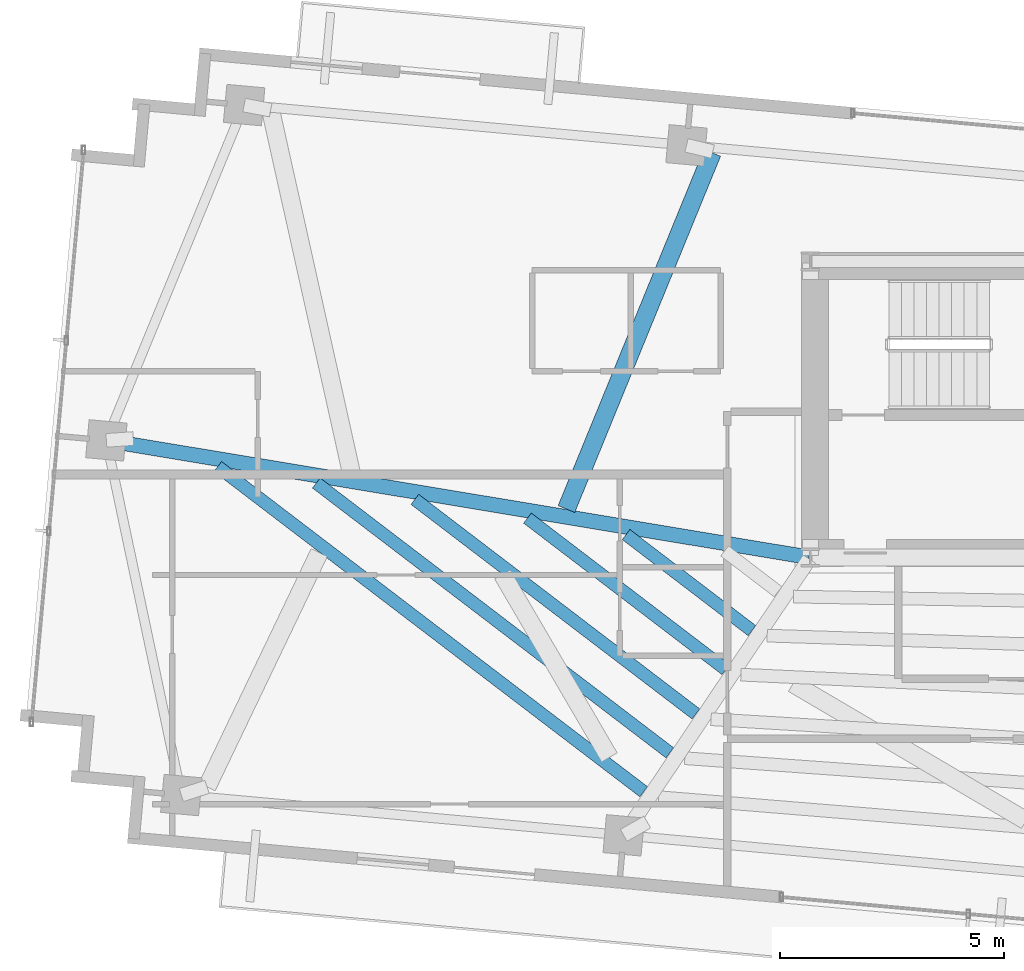
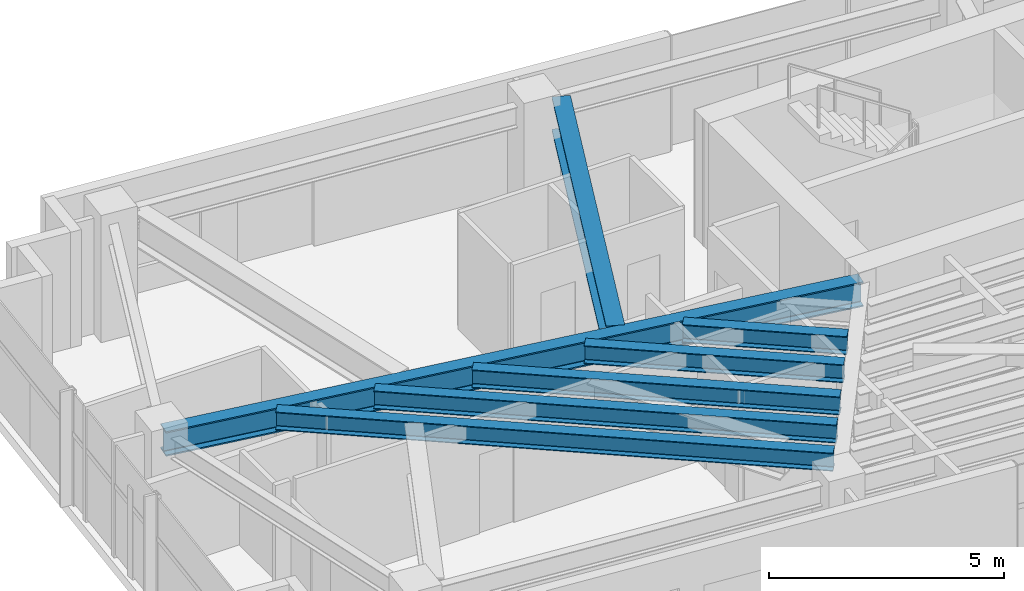
# One storey, part 5 of 22: 7 beams.
"""IFC4 building model written with IfcOpenShell, lengths in metres."""

from ifc_helpers import new_model, si_unit, direction, frame, origin, origin_2d, place, context, subcontext, project, spatial, i_section, extrude, source, transform, mapped, material, material_profile, profile_set, type_object, type_shapes, element, save


model = new_model("IFC4")

# Units and contexts
model_context = context("Model", 3, precision=1e-05, world=origin(), true_north=direction((0.0, 1.0)))
body_context = subcontext(model_context, "Body", "Model", "MODEL_VIEW")
ifc_project = project(units=[si_unit("LENGTHUNIT", "METRE"), si_unit("AREAUNIT", "SQUARE_METRE"), si_unit("VOLUMEUNIT", "CUBIC_METRE"), si_unit("PLANEANGLEUNIT", "RADIAN"), si_unit("MASSUNIT", "GRAM", prefix="KILO")], contexts=[model_context])

# Site, building, storey
site_placement = place(None, origin())
site = spatial("IfcSite", under=ifc_project, at=site_placement, CompositionType="ELEMENT")
building_placement = place(site_placement, origin())
building = spatial("IfcBuilding", under=site, at=building_placement, Name="Astriad Promenade Condominiums", CompositionType="ELEMENT")
storey_placement = place(building_placement, frame((0.0, 0.0, 256.199951171875)))
storey = spatial("IfcBuildingStorey", under=building, at=storey_placement, Name="L74", CompositionType="ELEMENT", Elevation=256.199951171875)

# Beams
ifc_material = material(Name="Steel ASTM A992 Grade 50", Category="steel")
ifc_material_profile_1 = material_profile(ifc_material, i_section(OverallWidth=0.327392578125, OverallDepth=0.640625, WebThickness=0.01904296875, FlangeThickness=0.033935546875, FilletRadius=0.017822265625, at=origin_2d()), Name="W24X176")
ifc_profile_set_1 = profile_set([ifc_material_profile_1], Name="Steel ASTM A992 Grade 50")
beam_type_1 = type_object("IfcBeamType", Name="STEEL FLOOR GIRDER W24X176", PredefinedType="BEAM", material=ifc_profile_set_1)
shared_shape_1 = source(origin(), body_context, "Body", "SweptSolid", [
    extrude(i_section(OverallWidth=0.327392578125, OverallDepth=0.640625, WebThickness=0.01904296875, FlangeThickness=0.033935546875, FilletRadius=0.017822265625, at=origin_2d()), origin(), (0.0, 0.0, 1.0), 15.824462890625),
])
type_shapes(beam_type_1, [shared_shape_1])
beam_1_placement = place(storey_placement, frame((10.750732421875, 20.003662109375, 2.6796875), z_axis=(0.986439752668, -0.164123777548, 0.0), x_axis=(0.164123777548, 0.986439752668, 0.0)))
element("IfcBeam", 1, at=beam_1_placement, inside=storey, type_object=beam_type_1, Name="Primary Floor Girder PG-WM-L74", PredefinedType="BEAM", context=body_context, shape_type="MappedRepresentation", body=[
    mapped(shared_shape_1, transform((0.0, 0.0, 0.0), scale=1.0)),
])
ifc_material_profile_2 = material_profile(ifc_material, i_section(OverallWidth=0.283203125, OverallDepth=0.47216796875, WebThickness=0.013671875, FlangeThickness=0.022216796875, FilletRadius=0.01513671875, at=origin_2d()), Name="W18X97")
ifc_profile_set_2 = profile_set([ifc_material_profile_2], Name="Steel ASTM A992 Grade 50")
beam_type_2 = type_object("IfcBeamType", Name="STEEL FLOOR JOIST W18X97", PredefinedType="JOIST", material=ifc_profile_set_2)
shared_shape_2 = source(origin(), body_context, "Body", "SweptSolid", [
    extrude(i_section(OverallWidth=0.283203125, OverallDepth=0.47216796875, WebThickness=0.013671875, FlangeThickness=0.022216796875, FilletRadius=0.01513671875, at=origin_2d()), origin(), (0.0, 0.0, 1.0), 11.941162109375),
])
beam_2_placement = place(storey_placement, frame((13.193603515625, 19.426513671875, 2.763916015625), z_axis=(0.794872876153, -0.606775997182, 0.0), x_axis=(0.606775997182, 0.794872876153, 0.0)))
element("IfcBeam", 2, at=beam_2_placement, inside=storey, type_object=beam_type_2, Name="Secondary Composite Floor Joist JW1-1-L74", PredefinedType="JOIST", context=body_context, shape_type="MappedRepresentation", body=[
    mapped(shared_shape_2, transform((0.0, 0.0, 0.0), scale=1.0)),
])
shared_shape_3 = source(origin(), body_context, "Body", "SweptSolid", [
    extrude(i_section(OverallWidth=0.283203125, OverallDepth=0.47216796875, WebThickness=0.013671875, FlangeThickness=0.022216796875, FilletRadius=0.01513671875, at=origin_2d()), origin(), (0.0, 0.0, 1.0), 9.91015625),
])
beam_3_placement = place(storey_placement, frame((15.39013671875, 19.06103515625, 2.763916015625), z_axis=(0.794880580107, -0.606765904916, 0.0), x_axis=(0.606765904916, 0.794880580107, 0.0)))
element("IfcBeam", 3, at=beam_3_placement, inside=storey, type_object=beam_type_2, Name="Secondary Composite Floor Joist JW1-2-L74", PredefinedType="JOIST", context=body_context, shape_type="MappedRepresentation", body=[
    mapped(shared_shape_3, transform((0.0, 0.0, 0.0), scale=1.0)),
])
shared_shape_4 = source(origin(), body_context, "Body", "SweptSolid", [
    extrude(i_section(OverallWidth=0.283203125, OverallDepth=0.47216796875, WebThickness=0.013671875, FlangeThickness=0.022216796875, FilletRadius=0.01513671875, at=origin_2d()), origin(), (0.0, 0.0, 1.0), 7.8798828125),
])
beam_4_placement = place(storey_placement, frame((17.58642578125, 18.69580078125, 2.763916015625), z_axis=(0.794873774806, -0.60677481995, 0.0), x_axis=(0.60677481995, 0.794873774806, 0.0)))
element("IfcBeam", 4, at=beam_4_placement, inside=storey, type_object=beam_type_2, Name="Secondary Composite Floor Joist JW1-3-L74", PredefinedType="JOIST", context=body_context, shape_type="MappedRepresentation", body=[
    mapped(shared_shape_4, transform((0.0, 0.0, 0.0), scale=1.0)),
])
shared_shape_5 = source(origin(), body_context, "Body", "SweptSolid", [
    extrude(i_section(OverallWidth=0.283203125, OverallDepth=0.47216796875, WebThickness=0.013671875, FlangeThickness=0.022216796875, FilletRadius=0.01513671875, at=origin_2d()), origin(), (0.0, 0.0, 1.0), 5.55908203125),
])
beam_5_placement = place(storey_placement, frame((20.0966796875, 18.278076171875, 2.763916015625), z_axis=(0.794874877878, -0.606773374925, 0.0), x_axis=(0.606773374925, 0.794874877878, 0.0)))
element("IfcBeam", 5, at=beam_5_placement, inside=storey, type_object=beam_type_2, Name="Secondary Composite Floor Joist JW1-4-L74", PredefinedType="JOIST", context=body_context, shape_type="MappedRepresentation", body=[
    mapped(shared_shape_5, transform((0.0, 0.0, 0.0), scale=1.0)),
])
shared_shape_6 = source(origin(), body_context, "Body", "SweptSolid", [
    extrude(i_section(OverallWidth=0.283203125, OverallDepth=0.47216796875, WebThickness=0.013671875, FlangeThickness=0.022216796875, FilletRadius=0.01513671875, at=origin_2d()), origin(), (0.0, 0.0, 1.0), 3.5283203125),
])
type_shapes(beam_type_2, [shared_shape_2, shared_shape_3, shared_shape_4, shared_shape_5, shared_shape_6])
beam_6_placement = place(storey_placement, frame((22.293212890625, 17.91259765625, 2.763916015625), z_axis=(0.794864295135, -0.606787238099, 0.0), x_axis=(0.606787238099, 0.794864295135, 0.0)))
element("IfcBeam", 6, at=beam_6_placement, inside=storey, type_object=beam_type_2, Name="Secondary Composite Floor Joist JW1-5-L74", PredefinedType="JOIST", context=body_context, shape_type="MappedRepresentation", body=[
    mapped(shared_shape_6, transform((0.0, 0.0, 0.0), scale=1.0)),
])
ifc_material_profile_3 = material_profile(ifc_material, i_section(OverallWidth=0.4013671875, OverallDepth=0.877197265625, WebThickness=0.022216796875, FlangeThickness=0.039794921875, FilletRadius=0.02294921875, at=origin_2d()), Name="W33X263")
ifc_profile_set_3 = profile_set([ifc_material_profile_3], Name="Steel ASTM A992 Grade 50")
beam_type_3 = type_object("IfcBeamType", Name="STEEL TRANSFER CARRIER GIRDER W33X263", PredefinedType="BEAM", material=ifc_profile_set_3)
shared_shape_7 = source(origin(), body_context, "Body", "SweptSolid", [
    extrude(i_section(OverallWidth=0.4013671875, OverallDepth=0.877197265625, WebThickness=0.022216796875, FlangeThickness=0.039794921875, FilletRadius=0.02294921875, at=origin_2d()), origin(), (0.0, 0.0, 1.0), 8.5771484375),
])
type_shapes(beam_type_3, [shared_shape_7])
beam_7_placement = place(storey_placement, frame((20.964599609375, 18.480224609375, 2.5615234375), z_axis=(0.378833448269, 0.925464866147, 0.0), x_axis=(-0.925464866147, 0.378833448269, 0.0)))
element("IfcBeam", 7, at=beam_7_placement, inside=storey, type_object=beam_type_3, Name="Transfer Splice Carrier TRM-SP-PC07-L74", PredefinedType="BEAM", context=body_context, shape_type="MappedRepresentation", body=[
    mapped(shared_shape_7, transform((0.0, 0.0, 0.0), scale=1.0)),
])

save(model, "model.ifc")
